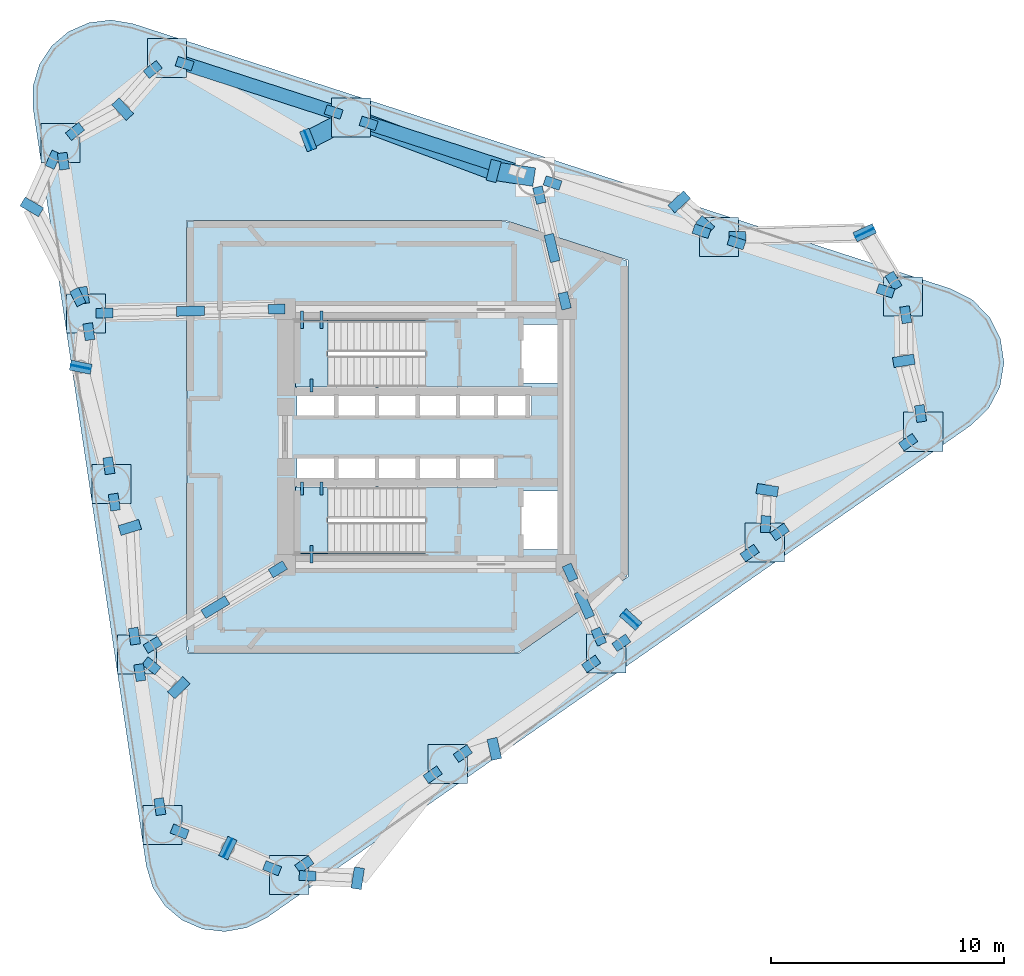
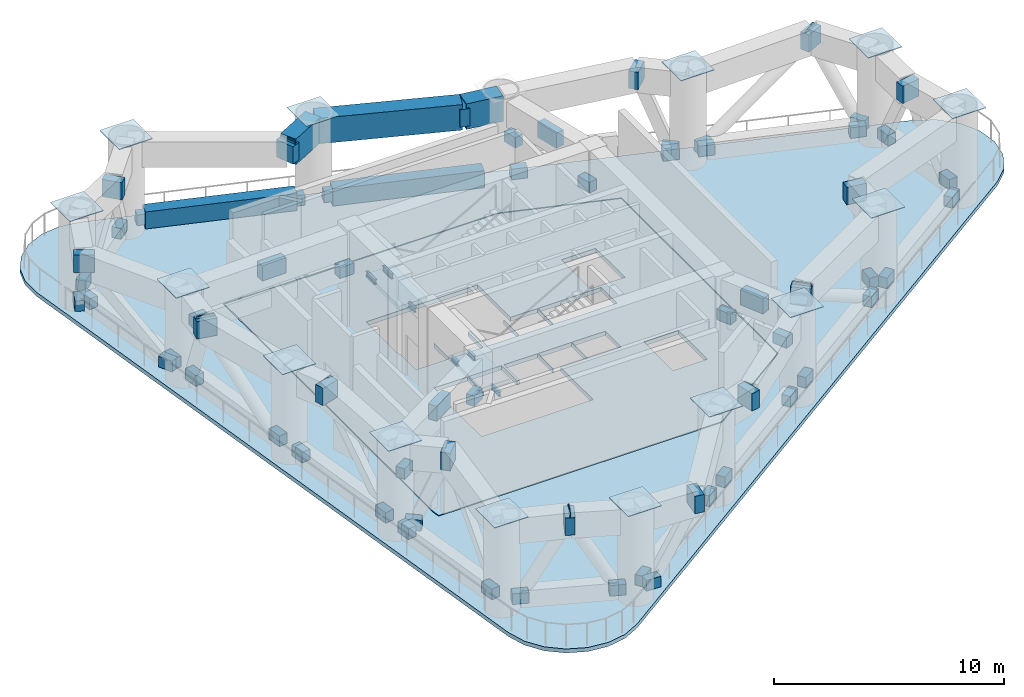
# One storey, part 3 of 8: 83 plates, 9 beams, 4 slabs, 2 members, 2 elements without a shape of their own.
"""IFC4 building model written with IfcOpenShell, lengths in metres."""

from ifc_helpers import new_model, si_unit, direction, frame, origin, origin_2d, place, context, subcontext, project, spatial, polyline, rectangle, hollow_rectangle, i_section, outline, extrude, source, transform, mapped, material, layer, layer_set, material_profile, profile_set, type_object, element, aggregate, save


model = new_model("IFC4")

# Units and contexts
model_context = context("Model", 3, precision=1e-05, world=origin(), true_north=direction((0.0, 1.0)))
body_context = subcontext(model_context, "Body", "Model", "MODEL_VIEW")
ifc_project = project(units=[si_unit("LENGTHUNIT", "METRE"), si_unit("AREAUNIT", "SQUARE_METRE"), si_unit("VOLUMEUNIT", "CUBIC_METRE"), si_unit("PLANEANGLEUNIT", "RADIAN"), si_unit("MASSUNIT", "GRAM", prefix="KILO")], contexts=[model_context])

# Site, building, storey
site_placement = place(None, origin())
site = spatial("IfcSite", under=ifc_project, at=site_placement, CompositionType="ELEMENT")
building_placement = place(site_placement, origin())
building = spatial("IfcBuilding", under=site, at=building_placement, Name="Yunling Apex Tower", CompositionType="ELEMENT")
storey_placement = place(building_placement, frame((0.0, 0.0, 84.800048828125)))
storey = spatial("IfcBuildingStorey", under=building, at=storey_placement, Name="RF2", CompositionType="ELEMENT", Elevation=84.800048828125)

# Beams
ifc_material_1 = material(Name="Steel Q355B", Category="steel")
ifc_material_profile_1 = material_profile(ifc_material_1, i_section(OverallWidth=0.125, OverallDepth=0.25, WebThickness=0.006103515625, FlangeThickness=0.009033203125, FilletRadius=0.011962890625, at=origin_2d()))
ifc_profile_set_1 = profile_set([ifc_material_profile_1], Name="Steel Q355B")
beam_type_1 = type_object("IfcBeamType", Name="BL-LNT-1", PredefinedType="LINTEL", material=ifc_profile_set_1)
shared_shape_1 = source(origin(), body_context, "Body", "SweptSolid", [
    extrude(i_section(OverallWidth=0.125, OverallDepth=0.25, WebThickness=0.006103515625, FlangeThickness=0.009033203125, FilletRadius=0.011962890625, at=origin_2d()), origin(), (0.0, 0.0, 1.0), 0.760009765625),
])
for number, where, z_axis, x_axis, name in (
    (1, (-5.320068359375, 5.419921875, 2.22998046875), (0.0, -1.0, 0.0), (1.0, 0.0, 0.0), "RF2 ST-1 Landing Bearing Corbel 1-1"),
    (2, (-4.489990234375, 5.419921875, 2.22998046875), (0.0, -1.0, 0.0), (1.0, 0.0, 0.0), "RF2 ST-1 Landing Bearing Corbel 1-2"),
    (3, (-4.905029296875, -5.419921875, 2.22998046875), (0.0, 1.0, 0.0), (-1.0, 0.0, 0.0), "RF2 ST-2 Landing Bearing Corbel 1-3"),
):
    element("IfcBeam", number, at=place(storey_placement, frame(where, z_axis=z_axis, x_axis=x_axis)), inside=storey, type_object=beam_type_1, Name=name, PredefinedType="LINTEL", context=body_context, shape_type="MappedRepresentation", body=[
        mapped(shared_shape_1, transform((0.0, 0.0, 0.0), scale=1.0)),
    ])
shared_shape_2 = source(origin(), body_context, "Body", "SweptSolid", [
    extrude(i_section(OverallWidth=0.125, OverallDepth=0.25, WebThickness=0.006103515625, FlangeThickness=0.009033203125, FilletRadius=0.011962890625, at=origin_2d()), origin(), (0.0, 0.0, 1.0), 0.550048828125),
])
for number, where, z_axis, x_axis, name in (
    (4, (-4.905029296875, 1.93994140625, 2.22998046875), (0.0, 1.0, 0.0), (-1.0, 0.0, 0.0), "RF2 ST-1 Landing Bearing Corbel 1-3"),
    (5, (-5.320068359375, -1.93994140625, 2.22998046875), (0.0, -1.0, 0.0), (1.0, 0.0, 0.0), "RF2 ST-2 Landing Bearing Corbel 1-1"),
    (6, (-4.489990234375, -1.93994140625, 2.22998046875), (0.0, -1.0, 0.0), (1.0, 0.0, 0.0), "RF2 ST-2 Landing Bearing Corbel 1-2"),
):
    element("IfcBeam", number, at=place(storey_placement, frame(where, z_axis=z_axis, x_axis=x_axis)), inside=storey, type_object=beam_type_1, Name=name, PredefinedType="LINTEL", context=body_context, shape_type="MappedRepresentation", body=[
        mapped(shared_shape_2, transform((0.0, 0.0, 0.0), scale=1.0)),
    ])

# Members
ifc_material_2 = material(Name="Steel Q390GJC", Category="steel")
ifc_material_profile_2 = material_profile(ifc_material_2, hollow_rectangle(XDim=0.60009765625, YDim=0.89990234375, WallThickness=0.0419921875, at=origin_2d()))
ifc_profile_set_2 = profile_set([ifc_material_profile_2], Name="Steel Q390GJC")
member_type = type_object("IfcMemberType", Name="BT-CHD-1", PredefinedType="CHORD", material=ifc_profile_set_2)
shared_shape_3 = source(origin(), body_context, "Body", "SweptSolid", [
    extrude(hollow_rectangle(XDim=0.60009765625, YDim=0.89990234375, WallThickness=0.0419921875, at=origin_2d()), origin(), (0.0, 0.0, 1.0), 6.725341796875),
])
member_1_placement = place(storey_placement, frame((-3.962890625, 13.96337890625, 0.550048828125), z_axis=(-0.951275205762, 0.308343125272, 0.0), x_axis=(-0.308343125272, -0.951275205762, 0.0)))
element("IfcMember", 7, at=member_1_placement, inside=storey, type_object=member_type, Name="RF2 Belt-Truss Bottom Chord 9", PredefinedType="CHORD", context=body_context, shape_type="MappedRepresentation", body=[
    mapped(shared_shape_3, transform((0.0, 0.0, 0.0), scale=1.0)),
])
shared_shape_4 = source(origin(), body_context, "Body", "SweptSolid", [
    extrude(hollow_rectangle(XDim=0.60009765625, YDim=0.89990234375, WallThickness=0.0419921875, at=origin_2d()), origin(), (0.0, 0.0, 1.0), 6.7255859375),
])
member_2_placement = place(storey_placement, frame((3.94140625, 11.40087890625, 0.550048828125), z_axis=(-0.951264557451, 0.308375974644, 0.0), x_axis=(-0.308375974644, -0.951264557451, 0.0)))
element("IfcMember", 8, at=member_2_placement, inside=storey, type_object=member_type, Name="RF2 Belt-Truss Bottom Chord 8", PredefinedType="CHORD", context=body_context, shape_type="MappedRepresentation", body=[
    mapped(shared_shape_4, transform((0.0, 0.0, 0.0), scale=1.0)),
])

# Beams
ifc_material_profile_3 = material_profile(ifc_material_2, hollow_rectangle(XDim=0.800048828125, YDim=1.35009765625, WallThickness=0.050048828125, at=origin_2d()))
ifc_profile_set_3 = profile_set([ifc_material_profile_3], Name="Steel Q390GJC")
beam_type_2 = type_object("IfcBeamType", Name="BTRNG-1", PredefinedType="USERDEFINED", material=ifc_profile_set_3)
shared_shape_5 = source(origin(), body_context, "Body", "SweptSolid", [
    extrude(hollow_rectangle(XDim=0.800048828125, YDim=1.35009765625, WallThickness=0.050048828125, at=origin_2d()), origin(), (0.0, 0.0, 1.0), 1.72021484375),
])
beam_1_placement = place(storey_placement, frame((4.6552734375, 11.162841796875, 4.239990234375), z_axis=(-0.988489531321, 0.151289280745, 0.0), x_axis=(-0.151289280745, -0.988489531321, 0.0)))
element("IfcBeam", 9, at=beam_1_placement, inside=storey, type_object=beam_type_2, Name="RF2 Panel-Split Box Ring Transfer Girder 21", ObjectType="GIRDER", PredefinedType="USERDEFINED", context=body_context, shape_type="MappedRepresentation", body=[
    mapped(shared_shape_5, transform((0.0, 0.0, 0.0), scale=1.0)),
])
shared_shape_6 = source(origin(), body_context, "Body", "SweptSolid", [
    extrude(hollow_rectangle(XDim=0.800048828125, YDim=1.35009765625, WallThickness=0.050048828125, at=origin_2d()), origin(), (0.0, 0.0, 1.0), 6.458984375),
])
beam_2_placement = place(storey_placement, frame((2.8779296875, 11.443115234375, 4.239990234375), z_axis=(-0.93667511836, 0.350199546895, 0.0), x_axis=(-0.350199546895, -0.93667511836, 0.0)))
element("IfcBeam", 10, at=beam_2_placement, inside=storey, type_object=beam_type_2, Name="RF2 Panel-Split Box Ring Transfer Girder 22", ObjectType="GIRDER", PredefinedType="USERDEFINED", context=body_context, shape_type="MappedRepresentation", body=[
    mapped(shared_shape_6, transform((0.0, 0.0, 0.0), scale=1.0)),
])
shared_shape_7 = source(origin(), body_context, "Body", "SweptSolid", [
    extrude(hollow_rectangle(XDim=0.800048828125, YDim=1.35009765625, WallThickness=0.050048828125, at=origin_2d()), origin(), (0.0, 0.0, 1.0), 2.000732421875),
])
beam_3_placement = place(storey_placement, frame((-3.2451171875, 13.70068359375, 4.239990234375), z_axis=(-0.88663270853, -0.462474258922, 0.0), x_axis=(0.462474258922, -0.88663270853, 0.0)))
element("IfcBeam", 11, at=beam_3_placement, inside=storey, type_object=beam_type_2, Name="RF2 Panel-Split Box Ring Transfer Girder 23", ObjectType="GIRDER", PredefinedType="USERDEFINED", context=body_context, shape_type="MappedRepresentation", body=[
    mapped(shared_shape_7, transform((0.0, 0.0, 0.0), scale=1.0)),
])

# Stair, slab
ifc_material_3 = material(Name="Concrete C40", Category="concrete")
stair_type = type_object("IfcStairType", Name="ST-TWR-1", PredefinedType="HALF_TURN_STAIR", material=ifc_material_3)
stair_1_placement = place(storey_placement, origin())
stair_1 = element("IfcStair", 12, at=stair_1_placement, inside=storey, type_object=stair_type, Name="RF2 North Core Smokeproof Exit Stair ST-1", PredefinedType="HALF_TURN_STAIR")
ifc_layer_1 = layer(ifc_material_3, 0.195068359375)
ifc_layer_set_1 = layer_set([ifc_layer_1], Name="Concrete C40")
slab_type_1 = type_object("IfcSlabType", Name="SL-LND-1", PredefinedType="LANDING", material=ifc_layer_set_1)
slab_1_placement = place(storey_placement, frame((0.0, 0.0, 2.35498046875)))
slab_1 = element("IfcSlab", 13, at=slab_1_placement, type_object=slab_type_1, Name="ST-1 landing 1", PredefinedType="LANDING", context=body_context, shape_type="SweptSolid", body=[
    extrude(outline(polyline([(-4.2099609375, 5.010009765625), (-5.60009765625, 5.010009765625), (-5.60009765625, 2.139892578125), (-4.2099609375, 2.139892578125), (-4.2099609375, 5.010009765625)])), origin(), (0.0, 0.0, 1.0), 0.195068359375),
])
aggregate(stair_1, [slab_1])

stair_2_placement = place(storey_placement, origin())
stair_2 = element("IfcStair", 14, at=stair_2_placement, inside=storey, type_object=stair_type, Name="RF2 South Core Smokeproof Exit Stair ST-2", PredefinedType="HALF_TURN_STAIR")
slab_2_placement = place(storey_placement, frame((0.0, 0.0, 2.35498046875)))
slab_2 = element("IfcSlab", 15, at=slab_2_placement, type_object=slab_type_1, Name="ST-2 landing 1", PredefinedType="LANDING", context=body_context, shape_type="SweptSolid", body=[
    extrude(outline(polyline([(-4.2099609375, -2.139892578125), (-5.60009765625, -2.139892578125), (-5.60009765625, -5.010009765625), (-4.2099609375, -5.010009765625), (-4.2099609375, -2.139892578125)])), origin(), (0.0, 0.0, 1.0), 0.195068359375),
])
aggregate(stair_2, [slab_2])

# Slabs
ifc_layer_2 = layer(ifc_material_3, 0.219970703125)
ifc_layer_set_2 = layer_set([ifc_layer_2], Name="Concrete C40")
slab_type_2 = type_object("IfcSlabType", Name="SL-RFG-1", PredefinedType="FLOOR", material=ifc_layer_set_2)
slab_3_placement = place(storey_placement, frame((0.0, 0.0, -0.219970703125)))
element("IfcSlab", 16, at=slab_3_placement, inside=storey, type_object=slab_type_2, Name="RF2 Mechanical & Belt-Truss Interior Slab", PredefinedType="FLOOR", context=body_context, shape_type="SweptSolid", body=[
    extrude(outline(polyline([(8.64990234375, 7.56201171875), (3.442626953125, 9.25), (-10.25, 9.25), (-10.25, -8.88037109375), (-10.19482421875, -9.25), (3.97900390625, -9.25), (8.64990234375, -5.984130859375), (8.64990234375, 7.56201171875)]), holes=[polyline([(5.81005859375, -2.320068359375), (5.81005859375, -4.840087890625), (4.090087890625, -4.840087890625), (4.090087890625, -2.320068359375), (5.81005859375, -2.320068359375)]), polyline([(5.81005859375, 4.840087890625), (5.81005859375, 2.320068359375), (4.090087890625, 2.320068359375), (4.090087890625, 4.840087890625), (5.81005859375, 4.840087890625)]), polyline([(1.364990234375, 2.1650390625), (4.534912109375, 2.1650390625), (4.534912109375, 0.794921875), (1.364990234375, 0.794921875), (1.364990234375, 2.1650390625)]), polyline([(3.034912109375, -0.794921875), (3.034912109375, -2.1650390625), (1.364990234375, -2.1650390625), (1.364990234375, -0.794921875), (3.034912109375, -0.794921875)]), polyline([(-5.534912109375, -0.794921875), (-3.864990234375, -0.794921875), (-3.864990234375, -2.139892578125), (-3.8349609375, -2.139892578125), (-3.8349609375, -0.794921875), (-2.1650390625, -0.794921875), (-2.1650390625, -2.139892578125), (-2.034912109375, -2.139892578125), (-2.034912109375, -0.794921875), (-0.364990234375, -0.794921875), (-0.364990234375, -2.139892578125), (-0.3349609375, -2.139892578125), (-0.3349609375, -0.794921875), (1.3349609375, -0.794921875), (1.3349609375, -2.1650390625), (-0.010009765625, -2.1650390625), (-0.010009765625, -5.010009765625), (-5.60009765625, -5.010009765625), (-5.60009765625, -2.139892578125), (-5.534912109375, -2.139892578125), (-5.534912109375, -0.794921875)]), polyline([(-5.60009765625, 2.139892578125), (-5.60009765625, 5.010009765625), (-0.010009765625, 5.010009765625), (-0.010009765625, 2.1650390625), (1.3349609375, 2.1650390625), (1.3349609375, 0.794921875), (-0.3349609375, 0.794921875), (-0.3349609375, 2.139892578125), (-0.364990234375, 2.139892578125), (-0.364990234375, 0.794921875), (-2.034912109375, 0.794921875), (-2.034912109375, 2.139892578125), (-2.1650390625, 2.139892578125), (-2.1650390625, 0.794921875), (-3.8349609375, 0.794921875), (-3.8349609375, 2.139892578125), (-3.864990234375, 2.139892578125), (-3.864990234375, 0.794921875), (-5.534912109375, 0.794921875), (-5.534912109375, 2.139892578125), (-5.60009765625, 2.139892578125)])]), origin(), (0.0, 0.0, 1.0), 0.219970703125),
])
ifc_layer_3 = layer(ifc_material_3, 0.2099609375)
ifc_layer_set_3 = layer_set([ifc_layer_3], Name="Concrete C40")
slab_type_3 = type_object("IfcSlabType", Name="SL-RFG-EXT", PredefinedType="FLOOR", material=ifc_layer_set_3)
slab_4_placement = place(storey_placement, frame((0.0, 0.0, -0.2099609375)))
element("IfcSlab", 17, at=slab_4_placement, inside=storey, type_object=slab_type_3, Name="RF2 Open Refuge Perimeter Terrace Band", PredefinedType="FLOOR", context=body_context, shape_type="SweptSolid", body=[
    extrude(outline(polyline([(-12.00732421875, -18.4326171875), (-11.730224609375, -19.349365234375), (-11.202392578125, -20.1484375), (-10.467529296875, -20.7626953125), (-9.587646484375, -21.14111328125), (-8.636474609375, -21.251708984375), (-7.693115234375, -21.08544921875), (-6.837158203125, -20.656005859375), (23.428955078125, 0.50537109375), (24.1796875, 1.231201171875), (24.6669921875, 2.155029296875), (24.842041015625, 3.184814453125), (24.687744140625, 4.217529296875), (24.21923828125, 5.15087890625), (23.483154296875, 5.89208984375), (22.552978515625, 6.36669921875), (-12.57763671875, 17.75439453125), (-13.521728515625, 17.914794921875), (-14.472412109375, 17.798095703125), (-15.349853515625, 17.414306640625), (-16.080810546875, 16.795166015625), (-16.603515625, 15.992919921875), (-16.875, 15.07421875), (-16.871826171875, 14.116455078125), (-12.00732421875, -18.4326171875)]), holes=[polyline([(3.99169921875, -9.2900390625), (-10.229248046875, -9.2900390625), (-10.2900390625, -8.88330078125), (-10.2900390625, 9.2900390625), (3.448974609375, 9.2900390625), (8.68994140625, 7.591064453125), (8.68994140625, -6.005126953125), (3.99169921875, -9.2900390625)])]), origin(), (0.0, 0.0, 1.0), 0.2099609375),
])

# Plates
ifc_layer_4 = layer(ifc_material_1, 0.030029296875)
ifc_layer_set_4 = layer_set([ifc_layer_4], Name="Steel Q355B")
plate_type_1 = type_object("IfcPlateType", Name="NP-CAP-1", PredefinedType="USERDEFINED", material=ifc_layer_set_4)
shared_shape_8 = source(origin(), body_context, "Body", "SweptSolid", [
    extrude(rectangle(XDim=1.679931640625, YDim=1.679931640625, at=origin_2d()), origin(), (0.0, 0.0, 1.0), 0.035888671875),
])
for number, where, z_axis, x_axis, name in (
    (18, (-5.8681640625, -18.8193359375, 4.9970703125), (0.0, 0.0, 1.0), (1.0, 0.0, 0.0), "RF2 Lower-Block CFST Column Top Cap Plate P01"),
    (19, (0.941650390625, -14.05810546875, 4.9970703125), (0.0, 0.0, 1.0), (1.0, 0.0, 0.0), "RF2 Lower-Block CFST Column Top Cap Plate P02"),
    (20, (7.751708984375, -9.296875, 4.9970703125), (0.0, 0.0, 1.0), (1.0, 0.0, 0.0), "RF2 Lower-Block CFST Column Top Cap Plate P03"),
    (21, (14.5615234375, -4.535400390625, 4.9970703125), (0.0, 0.0, 1.0), (1.0, 0.0, 0.0), "RF2 Lower-Block CFST Column Top Cap Plate P04"),
    (22, (21.371337890625, 0.225830078125, 4.9970703125), (0.0, 0.0, 1.0), (1.0, 0.0, 0.0), "RF2 Lower-Block CFST Column Top Cap Plate P05"),
    (23, (20.50341796875, 6.032470703125, 4.9970703125), (0.0, 0.0, 1.0), (1.0, 0.0, 0.0), "RF2 Lower-Block CFST Column Top Cap Plate P06"),
    (24, (12.59912109375, 8.594482421875, 4.9970703125), (0.0, 0.0, 1.0), (1.0, 0.0, 0.0), "RF2 Lower-Block CFST Column Top Cap Plate P07"),
    (25, (-3.209716796875, 13.718994140625, 4.9970703125), (0.0, 0.0, 1.0), (1.0, 0.0, 0.0), "RF2 Lower-Block CFST Column Top Cap Plate P09"),
    (26, (-11.114013671875, 16.28125, 4.9970703125), (0.0, 0.0, 1.0), (1.0, 0.0, 0.0), "RF2 Lower-Block CFST Column Top Cap Plate P10"),
    (27, (-15.689208984375, 12.62939453125, 4.9970703125), (0.0, 0.0, 1.0), (1.0, 0.0, 0.0), "RF2 Lower-Block CFST Column Top Cap Plate P11"),
    (28, (-14.594482421875, 5.305908203125, 4.9970703125), (0.0, 0.0, 1.0), (1.0, 0.0, 0.0), "RF2 Lower-Block CFST Column Top Cap Plate P12"),
    (29, (-13.5, -2.017578125, 4.9970703125), (0.0, 0.0, 1.0), (1.0, 0.0, 0.0), "RF2 Lower-Block CFST Column Top Cap Plate P13"),
    (30, (-12.405517578125, -9.341064453125, 4.9970703125), (0.0, 0.0, 1.0), (1.0, 0.0, 0.0), "RF2 Lower-Block CFST Column Top Cap Plate P14"),
    (31, (-11.31103515625, -16.66455078125, 4.9970703125), (0.0, 0.0, 1.0), (1.0, 0.0, 0.0), "RF2 Lower-Block CFST Column Top Cap Plate P15"),
):
    element("IfcPlate", number, at=place(storey_placement, frame(where, z_axis=z_axis, x_axis=x_axis)), inside=storey, type_object=plate_type_1, Name=name, ObjectType="CAP_PLATE", PredefinedType="USERDEFINED", context=body_context, shape_type="MappedRepresentation", body=[
        mapped(shared_shape_8, transform((0.0, 0.0, 0.0), scale=1.0)),
    ])
ifc_layer_5 = layer(ifc_material_1, 0.035888671875)
ifc_layer_set_5 = layer_set([ifc_layer_5], Name="Steel Q355B")
plate_type_2 = type_object("IfcPlateType", Name="NP-GUS-1", PredefinedType="USERDEFINED", material=ifc_layer_set_5)
shared_shape_9 = source(origin(), body_context, "Body", "SweptSolid", [
    extrude(rectangle(XDim=0.719970703125, YDim=0.419921875, at=origin_2d()), origin(), (0.0, 0.0, 1.0), 0.56005859375),
])
for number, where, z_axis, x_axis, name in (
    (32, (-5.218994140625, -18.365478515625, 0.27001953125), (0.0, 0.0, 1.0), (0.819552276527, 0.573004420611, 0.0), "RF2 Belt Chord End Gusset Plate 48"),
    (33, (0.29248046875, -14.511962890625, 0.27001953125), (0.0, 0.0, 1.0), (0.819552276527, 0.573004420611, 0.0), "RF2 Belt Chord End Gusset Plate 49"),
    (34, (1.5908203125, -13.604248046875, 0.27001953125), (0.0, 0.0, 1.0), (0.819552276527, 0.573004420611, 0.0), "RF2 Belt Chord End Gusset Plate 50"),
    (35, (7.1025390625, -9.75048828125, 0.27001953125), (0.0, 0.0, 1.0), (0.819552276527, 0.573004420611, 0.0), "RF2 Belt Chord End Gusset Plate 51"),
    (36, (8.400634765625, -8.843017578125, 0.27001953125), (0.0, 0.0, 1.0), (0.819552276527, 0.573004420611, 0.0), "RF2 Belt Chord End Gusset Plate 52"),
    (37, (13.912353515625, -4.9892578125, 0.27001953125), (0.0, 0.0, 1.0), (0.819552276527, 0.573004420611, 0.0), "RF2 Belt Chord End Gusset Plate 53"),
    (38, (15.210693359375, -4.081787109375, 0.27001953125), (0.0, 0.0, 1.0), (0.819552276527, 0.573004420611, 0.0), "RF2 Belt Chord End Gusset Plate 54"),
    (39, (20.72216796875, -0.22802734375, 0.27001953125), (0.0, 0.0, 1.0), (0.819552276527, 0.573004420611, 0.0), "RF2 Belt Chord End Gusset Plate 55"),
    (40, (21.254150390625, 1.009033203125, 0.27001953125), (0.0, 0.0, 1.0), (-0.14780941113, 0.989015863362, 0.0), "RF2 Belt Chord End Gusset Plate 56"),
    (41, (20.62060546875, 5.2490234375, 0.27001953125), (0.0, 0.0, 1.0), (-0.14780941113, 0.989015863362, 0.0), "RF2 Belt Chord End Gusset Plate 57"),
    (42, (19.75, 6.276611328125, 0.27001953125), (0.0, 0.0, 1.0), (-0.951272019071, 0.30835295642, 0.0), "RF2 Belt Chord End Gusset Plate 58"),
    (43, (13.3525390625, 8.350341796875, 0.27001953125), (0.0, 0.0, 1.0), (-0.951272019071, 0.30835295642, 0.0), "RF2 Belt Chord End Gusset Plate 59"),
    (44, (11.845703125, 8.8388671875, 0.27001953125), (0.0, 0.0, 1.0), (-0.951272019071, 0.30835295642, 0.0), "RF2 Belt Chord End Gusset Plate 60"),
    (45, (5.4482421875, 10.91259765625, 0.27001953125), (0.0, 0.0, 1.0), (-0.951272019071, 0.30835295642, 0.0), "RF2 Belt Chord End Gusset Plate 61"),
    (46, (-2.456298828125, 13.474853515625, 0.27001953125), (0.0, 0.0, 1.0), (-0.951272019071, 0.30835295642, 0.0), "RF2 Belt Chord End Gusset Plate 63"),
    (47, (-3.962890625, 13.96337890625, 0.27001953125), (0.0, 0.0, 1.0), (-0.951272019071, 0.30835295642, 0.0), "RF2 Belt Chord End Gusset Plate 64"),
    (48, (-10.360595703125, 16.037109375, 0.27001953125), (0.0, 0.0, 1.0), (-0.951272019071, 0.30835295642, 0.0), "RF2 Belt Chord End Gusset Plate 65"),
    (49, (-11.73291015625, 15.787109375, 0.27001953125), (0.0, 0.0, 1.0), (-0.781520472419, -0.623879596709, 0.0), "RF2 Belt Chord End Gusset Plate 66"),
    (50, (-15.070068359375, 13.12353515625, 0.27001953125), (0.0, 0.0, 1.0), (-0.781520472419, -0.623879596709, 0.0), "RF2 Belt Chord End Gusset Plate 67"),
    (51, (-15.572021484375, 11.84619140625, 0.27001953125), (0.0, 0.0, 1.0), (0.14780941113, -0.989015863362, 0.0), "RF2 Belt Chord End Gusset Plate 68"),
    (52, (-14.711669921875, 6.089111328125, 0.27001953125), (0.0, 0.0, 1.0), (0.14780941113, -0.989015863362, 0.0), "RF2 Belt Chord End Gusset Plate 69"),
    (53, (-14.4775390625, 4.522705078125, 0.27001953125), (0.0, 0.0, 1.0), (0.14780941113, -0.989015863362, 0.0), "RF2 Belt Chord End Gusset Plate 70"),
    (54, (-13.6171875, -1.234375, 0.27001953125), (0.0, 0.0, 1.0), (0.14780941113, -0.989015863362, 0.0), "RF2 Belt Chord End Gusset Plate 71"),
    (55, (-13.383056640625, -2.80078125, 0.27001953125), (0.0, 0.0, 1.0), (0.14780941113, -0.989015863362, 0.0), "RF2 Belt Chord End Gusset Plate 72"),
    (56, (-12.522705078125, -8.557861328125, 0.27001953125), (0.0, 0.0, 1.0), (0.14780941113, -0.989015863362, 0.0), "RF2 Belt Chord End Gusset Plate 73"),
    (57, (-12.28857421875, -10.12451171875, 0.27001953125), (0.0, 0.0, 1.0), (0.14780941113, -0.989015863362, 0.0), "RF2 Belt Chord End Gusset Plate 74"),
    (58, (-11.42822265625, -15.88134765625, 0.27001953125), (0.0, 0.0, 1.0), (0.14780941113, -0.989015863362, 0.0), "RF2 Belt Chord End Gusset Plate 75"),
    (59, (-10.57470703125, -16.9560546875, 0.27001953125), (0.0, 0.0, 1.0), (0.929776485888, -0.368124552685, 0.0), "RF2 Belt Chord End Gusset Plate 76"),
    (60, (-6.6044921875, -18.52783203125, 0.27001953125), (0.0, 0.0, 1.0), (0.929776485888, -0.368124552685, 0.0), "RF2 Belt Chord End Gusset Plate 77"),
    (61, (-5.0791015625, -18.857177734375, 0.27001953125), (0.0, 0.0, 1.0), (0.998865073158, -0.047629461744, 0.0), "RF2 Belt Diagonal Foot Gusset Plate 78"),
    (62, (14.6005859375, -3.74658203125, 0.27001953125), (0.0, 0.0, 1.0), (0.049372736746, 0.998780422749, 0.0), "RF2 Belt Diagonal Foot Gusset Plate 79"),
    (63, (20.09619140625, 6.70947265625, 0.27001953125), (0.0, 0.0, 1.0), (-0.515337251359, 0.856987466281, 0.0), "RF2 Belt Diagonal Foot Gusset Plate 80"),
    (64, (13.388916015625, 8.6171875, 0.27001953125), (0.0, 0.0, 1.0), (0.999595358281, 0.028445029505, 0.0), "RF2 Belt Diagonal Foot Gusset Plate 81"),
    (65, (12.005615234375, 9.1162109375, 0.27001953125), (0.0, 0.0, 1.0), (-0.75114893004, 0.660132778235, 0.0), "RF2 Belt Diagonal Foot Gusset Plate 82"),
    (66, (-16.013916015625, 11.9091796875, 0.27001953125), (0.0, 0.0, 1.0), (-0.411037092578, -0.911618620107, 0.0), "RF2 Belt Diagonal Foot Gusset Plate 83"),
    (67, (-14.953369140625, 6.009765625, 0.27001953125), (0.0, 0.0, 1.0), (-0.454146002799, 0.890927274328, 0.0), "RF2 Belt Diagonal Foot Gusset Plate 84"),
    (68, (-11.788330078125, -9.833984375, 0.27001953125), (0.0, 0.0, 1.0), (0.781302649748, -0.624152360803, 0.0), "RF2 Belt Diagonal Foot Gusset Plate 85"),
):
    element("IfcPlate", number, at=place(storey_placement, frame(where, z_axis=z_axis, x_axis=x_axis)), inside=storey, type_object=plate_type_2, Name=name, ObjectType="GUSSET_PLATE", PredefinedType="USERDEFINED", context=body_context, shape_type="MappedRepresentation", body=[
        mapped(shared_shape_9, transform((0.0, 0.0, 0.0), scale=1.0)),
    ])
shared_shape_10 = source(origin(), body_context, "Body", "SweptSolid", [
    extrude(rectangle(XDim=0.919921875, YDim=0.43994140625, at=origin_2d()), origin(), (0.0, 0.0, 1.0), 0.919921875),
])
for number, where, z_axis, x_axis, name in (
    (69, (-2.92138671875, -18.960205078125, 3.780029296875), (0.0, 0.0, 1.0), (-0.152295885498, -0.988334944875, 0.0), "RF2 Belt-Truss Node Gusset Plate 1"),
    (70, (2.943359375, -13.40234375, 3.780029296875), (0.0, 0.0, 1.0), (0.214564862428, -0.976709741843, 0.0), "RF2 Belt-Truss Node Gusset Plate 2"),
    (71, (8.80810546875, -7.8447265625, 3.780029296875), (0.0, 0.0, 1.0), (0.746754275513, -0.665100031577, 0.0), "RF2 Belt-Truss Node Gusset Plate 3"),
    (72, (14.6728515625, -2.287109375, 3.780029296875), (0.0, 0.0, 1.0), (0.988067633226, -0.154020622552, 0.0), "RF2 Belt-Truss Node Gusset Plate 4"),
    (73, (20.53759765625, 3.2705078125, 3.780029296875), (0.0, 0.0, 1.0), (0.987551449705, 0.157296326041, 0.0), "RF2 Belt-Truss Node Gusset Plate 5"),
    (74, (18.855224609375, 8.77294921875, 3.780029296875), (0.0, 0.0, 1.0), (0.906676245901, 0.421827198174, 0.0), "RF2 Belt-Truss Node Gusset Plate 6"),
    (75, (10.88525390625, 10.10107421875, 3.780029296875), (0.0, 0.0, 1.0), (0.733017953051, 0.680209291693, 0.0), "RF2 Belt-Truss Node Gusset Plate 7"),
    (76, (2.915283203125, 11.428955078125, 3.780029296875), (0.0, 0.0, 1.0), (0.24716813411, 0.968972607188, 0.0), "RF2 Belt-Truss Node Gusset Plate 8"),
    (77, (-5.054443359375, 12.757080078125, 3.780029296875), (0.0, 0.0, 1.0), (-0.368286823687, 0.929712221872, 0.0), "RF2 Belt-Truss Node Gusset Plate 9"),
    (78, (-13.0244140625, 14.0849609375, 3.780029296875), (0.0, 0.0, 1.0), (-0.678928898649, 0.734204025172, 0.0), "RF2 Belt-Truss Node Gusset Plate 10"),
    (79, (-16.927490234375, 9.88330078125, 3.780029296875), (0.0, 0.0, 1.0), (-0.863571611366, 0.504226211181, 0.0), "RF2 Belt-Truss Node Gusset Plate 11"),
    (80, (-14.822509765625, 2.99755859375, 3.780029296875), (0.0, 0.0, 1.0), (-0.980167547112, 0.198170582048, 0.0), "RF2 Belt-Truss Node Gusset Plate 12"),
    (81, (-12.71728515625, -3.887939453125, 3.780029296875), (0.0, 0.0, 1.0), (-0.956304755963, -0.292371704723, 0.0), "RF2 Belt-Truss Node Gusset Plate 13"),
    (82, (-10.612060546875, -10.773681640625, 3.780029296875), (0.0, 0.0, 1.0), (-0.701780140797, -0.71239359485, 0.0), "RF2 Belt-Truss Node Gusset Plate 14"),
    (83, (-8.5068359375, -17.6591796875, 3.780029296875), (0.0, 0.0, 1.0), (-0.433973593378, -0.900925590851, 0.0), "RF2 Belt-Truss Node Gusset Plate 15"),
):
    element("IfcPlate", number, at=place(storey_placement, frame(where, z_axis=z_axis, x_axis=x_axis)), inside=storey, type_object=plate_type_2, Name=name, ObjectType="GUSSET_PLATE", PredefinedType="USERDEFINED", context=body_context, shape_type="MappedRepresentation", body=[
        mapped(shared_shape_10, transform((0.0, 0.0, 0.0), scale=1.0)),
    ])
shared_shape_11 = source(origin(), body_context, "Body", "SweptSolid", [
    extrude(rectangle(XDim=0.85009765625, YDim=0.030029296875, at=origin_2d()), origin(), (0.0, 0.0, 1.0), 0.85009765625),
])
for number, where, z_axis, x_axis, name in (
    (84, (8.80810546875, -7.8447265625, 3.96484375), (0.0, 0.0, 1.0), (0.746754275513, -0.665100031577, 0.0), "RF2 Box Ring Girder End Cap Plate 3"),
    (85, (18.855224609375, 8.77294921875, 3.96484375), (0.0, 0.0, 1.0), (0.906676245901, 0.421827198174, 0.0), "RF2 Box Ring Girder End Cap Plate 6"),
    (86, (-5.054443359375, 12.757080078125, 3.96484375), (0.0, 0.0, 1.0), (-0.368286823687, 0.929712221872, 0.0), "RF2 Box Ring Girder End Cap Plate 9"),
    (87, (-14.822509765625, 2.99755859375, 3.96484375), (0.0, 0.0, 1.0), (-0.980167547112, 0.198170582048, 0.0), "RF2 Box Ring Girder End Cap Plate 12"),
    (88, (-8.5068359375, -17.6591796875, 3.96484375), (0.0, 0.0, 1.0), (-0.433973593378, -0.900925590851, 0.0), "RF2 Box Ring Girder End Cap Plate 15"),
):
    element("IfcPlate", number, at=place(storey_placement, frame(where, z_axis=z_axis, x_axis=x_axis)), inside=storey, type_object=plate_type_1, Name=name, ObjectType="CAP_PLATE", PredefinedType="USERDEFINED", context=body_context, shape_type="MappedRepresentation", body=[
        mapped(shared_shape_11, transform((0.0, 0.0, 0.0), scale=1.0)),
    ])
ifc_layer_6 = layer(ifc_material_1, 0.031982421875)
ifc_layer_set_6 = layer_set([ifc_layer_6], Name="Steel Q355B")
plate_type_3 = type_object("IfcPlateType", Name="NP-GUS-2", PredefinedType="USERDEFINED", material=ifc_layer_set_6)
shared_shape_12 = source(origin(), body_context, "Body", "SweptSolid", [
    extrude(rectangle(XDim=1.199951171875, YDim=0.419921875, at=origin_2d()), origin(), (0.0, 0.0, 1.0), 0.800048828125),
])
for number, where, z_axis, x_axis, name in (
    (89, (-9.043701171875, -7.309326171875, 3.83984375), (0.0, 0.0, 1.0), (-0.855815998251, -0.517280366086, 0.0), "RF2 Outrigger Mid-Top Gusset Plate 1"),
    (90, (6.812744140625, -7.2021484375, 3.83984375), (0.0, 0.0, 1.0), (0.408967639299, -0.912548886365, 0.0), "RF2 Outrigger Mid-Top Gusset Plate 2"),
    (91, (5.422607421875, 8.119384765625, 3.83984375), (0.0, 0.0, 1.0), (-0.232936200179, 0.972492018808, 0.0), "RF2 Outrigger Mid-Top Gusset Plate 3"),
    (92, (-10.107421875, 5.40771484375, 3.83984375), (0.0, 0.0, 1.0), (-0.999742609323, -0.022687333573, 0.0), "RF2 Outrigger Mid-Top Gusset Plate 4"),
):
    element("IfcPlate", number, at=place(storey_placement, frame(where, z_axis=z_axis, x_axis=x_axis)), inside=storey, type_object=plate_type_3, Name=name, ObjectType="GUSSET_PLATE", PredefinedType="USERDEFINED", context=body_context, shape_type="MappedRepresentation", body=[
        mapped(shared_shape_12, transform((0.0, 0.0, 0.0), scale=1.0)),
    ])
shared_shape_13 = source(origin(), body_context, "Body", "SweptSolid", [
    extrude(rectangle(XDim=0.719970703125, YDim=0.419921875, at=origin_2d()), origin(), (0.0, 0.0, 1.0), 0.56005859375),
])
for number, where, z_axis, x_axis, name in (
    (93, (-6.358154296875, -5.686279296875, 2.5400390625), (0.0, 0.0, 1.0), (-0.855815998251, -0.517280366086, 0.0), "RF2 Outrigger Core Embed Gusset Plate 86"),
    (94, (-11.7294921875, -8.9326171875, 2.5400390625), (0.0, 0.0, 1.0), (-0.855815998251, -0.517280366086, 0.0), "RF2 Outrigger Column Gusset Plate 87"),
    (95, (6.197265625, -5.82861328125, 2.5400390625), (0.0, 0.0, 1.0), (0.408967639299, -0.912548886365, 0.0), "RF2 Outrigger Core Embed Gusset Plate 88"),
    (96, (7.428466796875, -8.575927734375, 2.5400390625), (0.0, 0.0, 1.0), (0.408967639299, -0.912548886365, 0.0), "RF2 Outrigger Column Gusset Plate 89"),
    (97, (5.966064453125, 5.85009765625, 2.5400390625), (0.0, 0.0, 1.0), (-0.232936200179, 0.972492018808, 0.0), "RF2 Outrigger Core Embed Gusset Plate 90"),
    (98, (4.87890625, 10.388427734375, 2.5400390625), (0.0, 0.0, 1.0), (-0.232936200179, 0.972492018808, 0.0), "RF2 Outrigger Column Gusset Plate 91"),
    (99, (-6.409912109375, 5.49169921875, 2.5400390625), (0.0, 0.0, 1.0), (-0.999742609323, -0.022687333573, 0.0), "RF2 Outrigger Core Embed Gusset Plate 92"),
    (100, (-13.8046875, 5.32373046875, 2.5400390625), (0.0, 0.0, 1.0), (-0.999742609323, -0.022687333573, 0.0), "RF2 Outrigger Column Gusset Plate 93"),
):
    element("IfcPlate", number, at=place(storey_placement, frame(where, z_axis=z_axis, x_axis=x_axis)), inside=storey, type_object=plate_type_3, Name=name, ObjectType="GUSSET_PLATE", PredefinedType="USERDEFINED", context=body_context, shape_type="MappedRepresentation", body=[
        mapped(shared_shape_13, transform((0.0, 0.0, 0.0), scale=1.0)),
    ])

save(model, "model.ifc")
